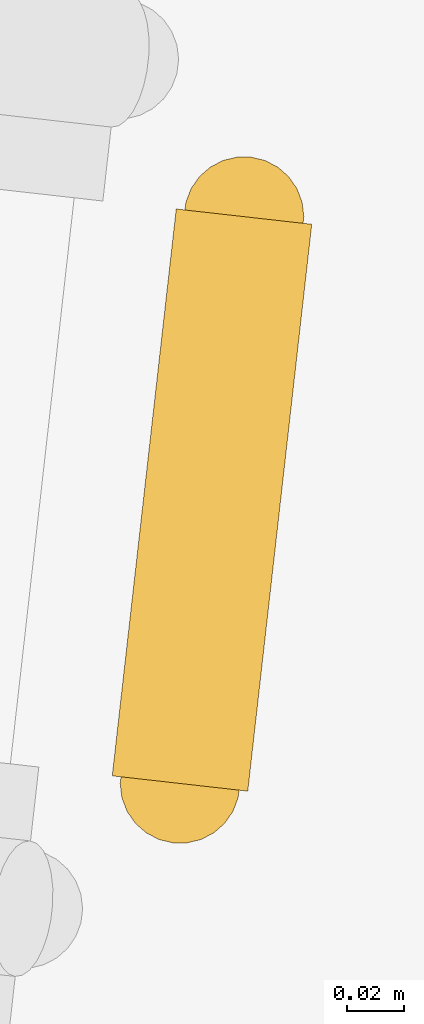
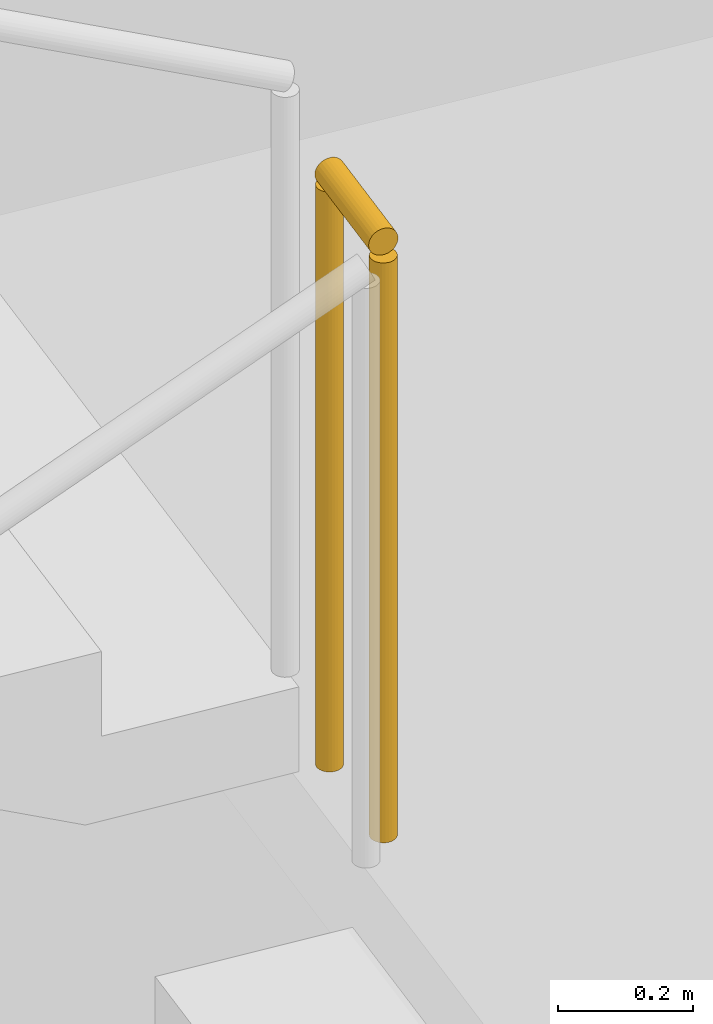
# One storey, part 123 of 142: 1 railing.
"""IFC4 building model written with IfcOpenShell, lengths in metres."""

from ifc_helpers import new_model, si_unit, direction, frame, origin, origin_2d, place, context, subcontext, project, spatial, circle, extrude, material, type_object, element, save


model = new_model("IFC4")

# Units and contexts
model_context = context("Model", 3, precision=1e-05, world=origin(), true_north=direction((0.0, 1.0)))
body_context = subcontext(model_context, "Body", "Model", "MODEL_VIEW")
ifc_project = project(units=[si_unit("LENGTHUNIT", "METRE"), si_unit("AREAUNIT", "SQUARE_METRE"), si_unit("VOLUMEUNIT", "CUBIC_METRE"), si_unit("PLANEANGLEUNIT", "RADIAN"), si_unit("MASSUNIT", "GRAM", prefix="KILO")], contexts=[model_context])

# Site, building, storey
site_placement = place(None, origin())
site = spatial("IfcSite", under=ifc_project, at=site_placement, CompositionType="ELEMENT")
building_placement = place(site_placement, origin())
building = spatial("IfcBuilding", under=site, at=building_placement, Name="Meseta Stadium", CompositionType="ELEMENT")
storey_placement = place(building_placement, frame((0.0, 0.0, -4.0)))
storey = spatial("IfcBuildingStorey", under=building, at=storey_placement, Name="B1", CompositionType="ELEMENT", Elevation=-4.0)

# Railing
ifc_material = material(Name="Steel S355", Category="steel")
railing_type = type_object("IfcRailingType", Name="Stair guard 1100", PredefinedType="GUARDRAIL", material=ifc_material)
railing_placement = place(storey_placement, frame((93.089111328125, -57.1171875, 2.0)))
element("IfcRailing", 1, at=railing_placement, inside=storey, type_object=railing_type, Name="ST2 B1 guard 2", PredefinedType="GUARDRAIL", context=body_context, shape_type="SweptSolid", body=[
    extrude(circle(Radius=0.02392578125, at=origin_2d()), frame((0.0, 0.0, 1.076171875), z_axis=(0.112171018782, 0.993688916384, 0.0), x_axis=(-0.993688916384, 0.112171018782, 0.0)), (0.0, 0.0, 1.0), 0.2001953125),
    extrude(circle(Radius=0.02099609375, at=origin_2d()), origin(), (0.0, 0.0, 1.0), 1.052001953125),
    extrude(circle(Radius=0.02099609375, at=origin_2d()), frame((0.0224609375, 0.198974609375, 0.0)), (0.0, 0.0, 1.0), 1.052001953125),
])

save(model, "model.ifc")
